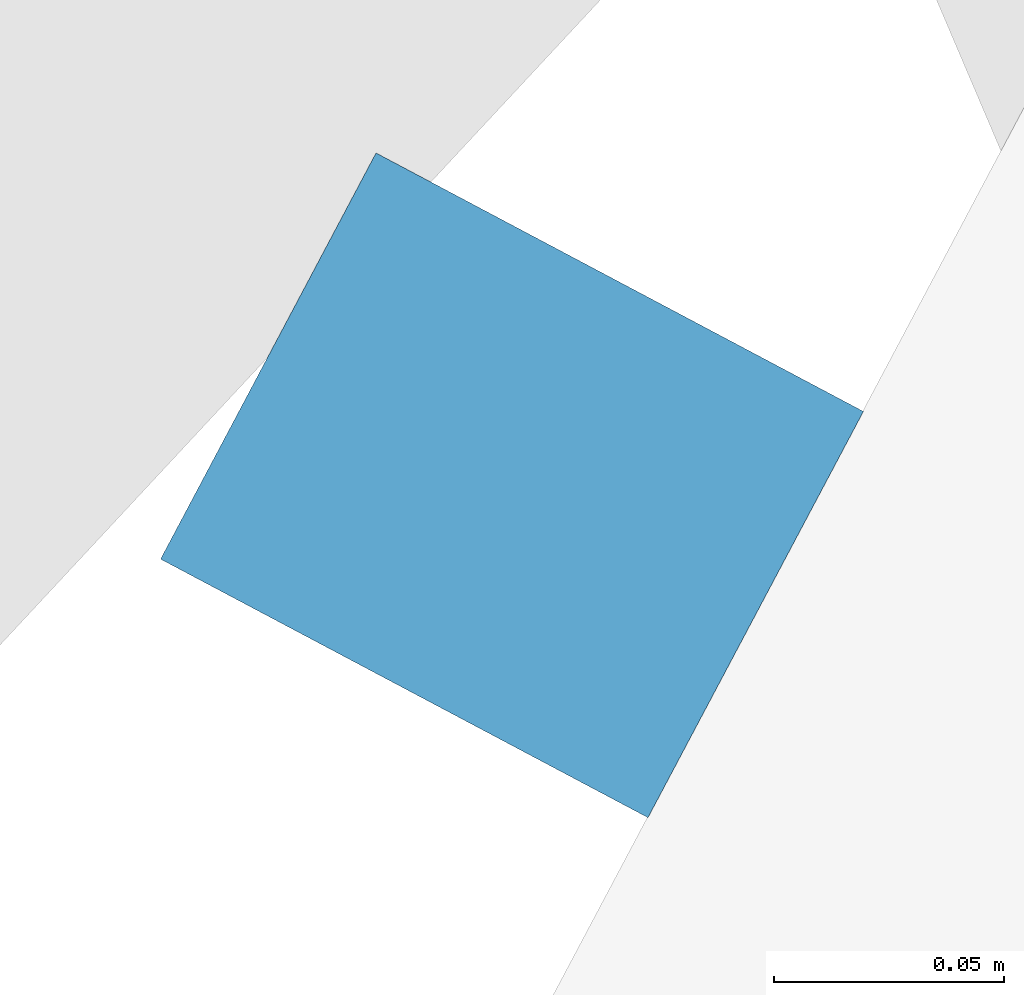
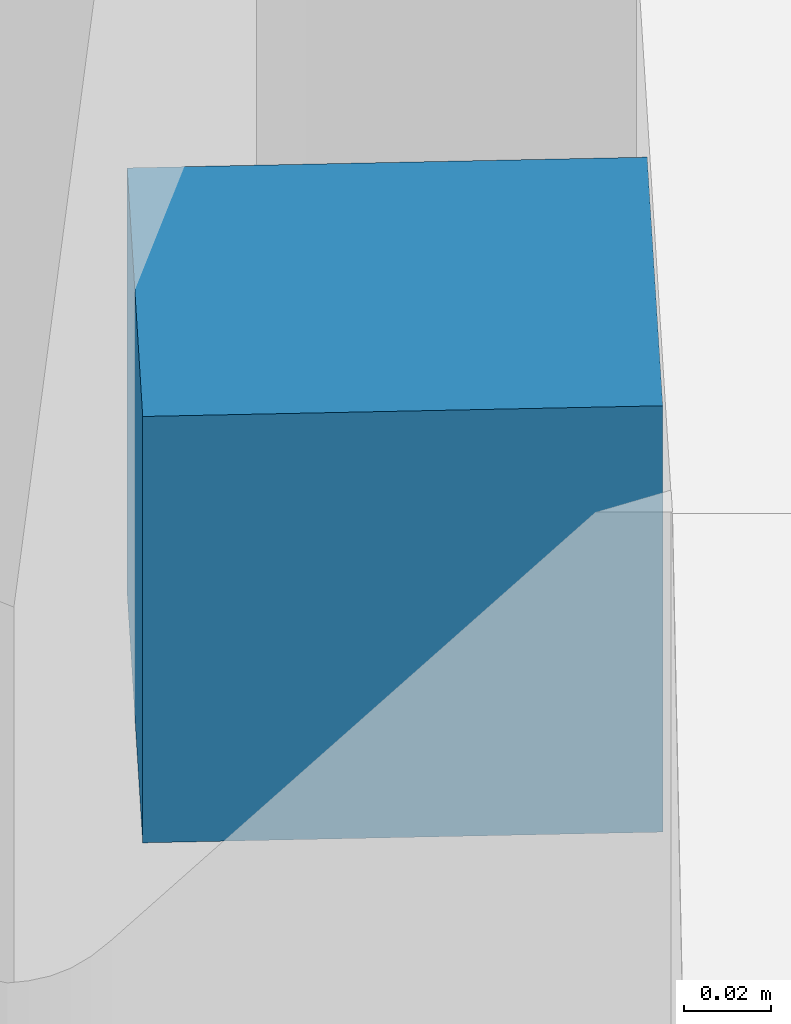
# One storey, part 13 of 19: 1 discrete accessory.
"""IFC4 building model written with IfcOpenShell, lengths in metres."""

from ifc_helpers import new_model, si_unit, direction, frame, origin, origin_2d, place, context, subcontext, project, spatial, rectangle, extrude, material, type_object, element, save


model = new_model("IFC4")

# Units and contexts
model_context = context("Model", 3, precision=1e-05, world=origin(), true_north=direction((0.0, 1.0)))
body_context = subcontext(model_context, "Body", "Model", "MODEL_VIEW")
ifc_project = project(units=[si_unit("LENGTHUNIT", "METRE"), si_unit("AREAUNIT", "SQUARE_METRE"), si_unit("VOLUMEUNIT", "CUBIC_METRE"), si_unit("PLANEANGLEUNIT", "RADIAN"), si_unit("MASSUNIT", "GRAM", prefix="KILO")], contexts=[model_context])

# Site, building, storey
site_placement = place(None, origin())
site = spatial("IfcSite", under=ifc_project, at=site_placement, CompositionType="ELEMENT")
building_placement = place(site_placement, origin())
building = spatial("IfcBuilding", under=site, at=building_placement, Name="Sierra Prisma Convention Tower", CompositionType="ELEMENT")
storey_placement = place(building_placement, frame((0.0, 0.0, 295.0)))
storey = spatial("IfcBuildingStorey", under=building, at=storey_placement, Name="L67", CompositionType="ELEMENT", Elevation=295.0)

# Discrete accessory
ifc_material = material(Name="Stainless steel 316", Category="steel")
discrete_accessory_type = type_object("IfcDiscreteAccessoryType", Name="Fin bracket", PredefinedType="BRACKET", material=ifc_material)
discrete_accessory_placement = place(storey_placement, frame((-19.765625, 7.173095703125, -0.135009765625), z_axis=(0.0, 0.0, 1.0), x_axis=(-0.883428660793, 0.468565685139, 0.0)))
element("IfcDiscreteAccessory", 1, at=discrete_accessory_placement, inside=storey, type_object=discrete_accessory_type, Name="Fin bracket L67.55 base", PredefinedType="BRACKET", context=body_context, shape_type="SweptSolid", body=[
    extrude(rectangle(XDim=0.1201171875, YDim=0.10009765625, at=origin_2d()), origin(), (0.0, 0.0, 1.0), 0.1201171875),
])

save(model, "model.ifc")
